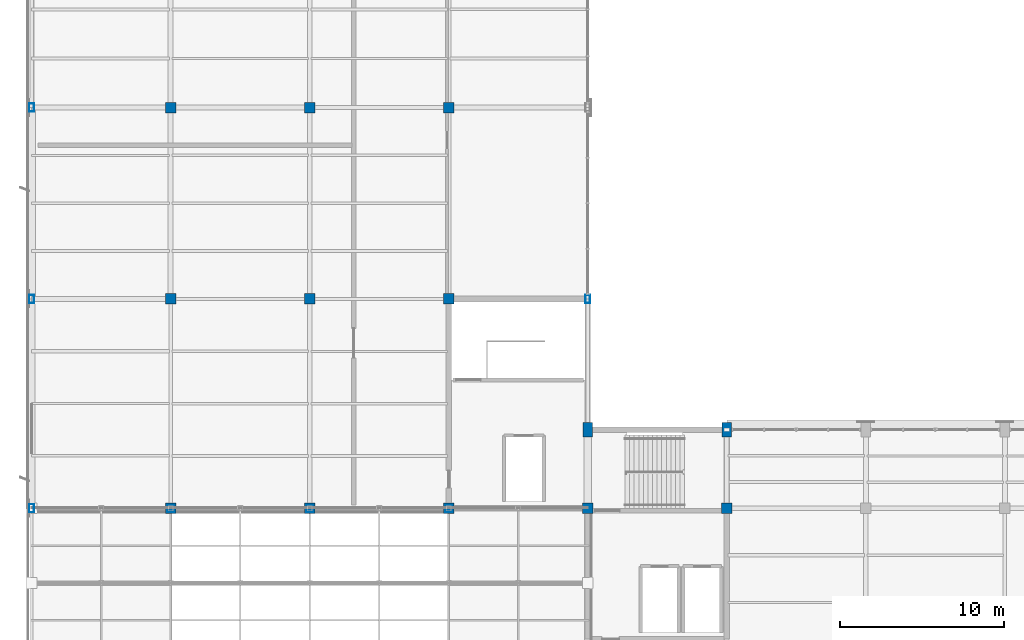
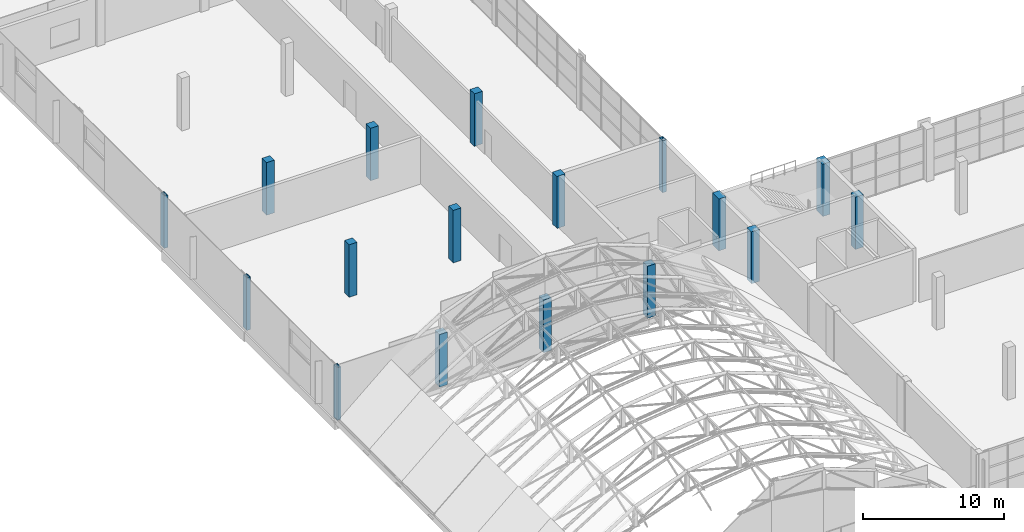
# One storey, part 2 of 86: 17 columns.
"""IFC4 building model written with IfcOpenShell, lengths in metres."""

import ifcopenshell
import ifcopenshell.guid

model = None  # the IFC model being written
_history = None  # IfcOwnerHistory: only IFC2X3 demands one
_inside = {}  # id of a spatial element -> (the spatial element, [elements in it])
_under = {}  # id of a project, library or spatial element -> (it, [spatial elements below it])
_declared = {}  # id of a project -> (the project, [libraries it declares])
_typed = {}  # id of a type object -> (the type object, [elements of that type])
_made_of = {}  # id of a material, layer set ... -> (it, [elements and type objects made of it])


def new_model(schema):
    """Start an empty IFC model of exactly this schema.

    Asked for "IFC4X3", IfcOpenShell would pick the latest addendum, in which some entities
    have other attributes; the version numbers below select the first issue.
    IFC2X3 requires an IfcOwnerHistory on every rooted entity: one is made here for all.
    """
    global model, _history
    if schema == "IFC4X3":
        model = ifcopenshell.file(schema_version=(4, 3, 0, 0))
    else:
        model = ifcopenshell.file(schema=schema)
    _inside.clear()
    _under.clear()
    _declared.clear()
    _typed.clear()
    _made_of.clear()
    _history = None
    if model.schema == "IFC2X3":
        org = make("IfcOrganization", Name="unknown")
        user = make(
            "IfcPersonAndOrganization",
            ThePerson=make("IfcPerson", FamilyName="unknown"),
            TheOrganization=org,
        )
        app = make(
            "IfcApplication",
            ApplicationDeveloper=org,
            Version="unknown",
            ApplicationFullName="unknown",
            ApplicationIdentifier="unknown",
        )
        _history = make(
            "IfcOwnerHistory",
            OwningUser=user,
            OwningApplication=app,
            ChangeAction="ADDED",
            CreationDate=0,
        )
    return model


def make(cls, **values):
    """One entity of the class cls with the attributes given. An attribute that is None is left unset."""
    return model.create_entity(
        cls, **{name: value for name, value in values.items() if value is not None}
    )


def rooted(cls, **values):
    """An entity with a GlobalId (a new one), such as an element, a storey or a relation."""
    return make(cls, GlobalId=ifcopenshell.guid.new(), OwnerHistory=_history, **values)


def si_unit(unit_type, name, prefix=None):
    """IfcSIUnit, for example si_unit("LENGTHUNIT", "METRE", prefix="MILLI")."""
    return make("IfcSIUnit", UnitType=unit_type, Prefix=prefix, Name=name)


def assignment(units):
    """IfcUnitAssignment: the units of a project."""
    return None if units is None else make("IfcUnitAssignment", Units=units)


def point(xyz):
    """IfcCartesianPoint."""
    return None if xyz is None else make("IfcCartesianPoint", Coordinates=xyz)


def direction(xyz):
    """IfcDirection."""
    return None if xyz is None else make("IfcDirection", DirectionRatios=xyz)


def frame(location, z_axis=None, x_axis=None):
    """IfcAxis2Placement3D, a coordinate frame: its origin and axes. An axis left out is left unset."""
    return make(
        "IfcAxis2Placement3D",
        Location=point(location),
        Axis=direction(z_axis),
        RefDirection=direction(x_axis),
    )


def frame_2d(location, x_axis=None):
    """IfcAxis2Placement2D, a coordinate frame in the plane: its origin and x axis."""
    return make(
        "IfcAxis2Placement2D", Location=point(location), RefDirection=direction(x_axis)
    )


def origin():
    """The frame at (0, 0, 0) with its axes left unset."""
    return frame((0.0, 0.0, 0.0))


def origin_2d():
    """The frame at (0, 0) in the plane with its x axis left unset."""
    return frame_2d((0.0, 0.0))


def place(relative_to, where):
    """IfcLocalPlacement: puts the frame where relative to a parent placement (None: the world)."""
    return make(
        "IfcLocalPlacement", PlacementRelTo=relative_to, RelativePlacement=where
    )


def context(
    kind, dimensions, precision=None, world=None, true_north=None, identifier=None
):
    """IfcGeometricRepresentationContext, for example the 3D "Model" context."""
    return make(
        "IfcGeometricRepresentationContext",
        ContextIdentifier=identifier,
        ContextType=kind,
        CoordinateSpaceDimension=dimensions,
        Precision=precision,
        WorldCoordinateSystem=world,
        TrueNorth=true_north,
    )


def subcontext(parent, identifier, kind, view, scale=None):
    """IfcGeometricRepresentationSubContext, for example "Body" below "Model"."""
    return make(
        "IfcGeometricRepresentationSubContext",
        ContextIdentifier=identifier,
        ContextType=kind,
        ParentContext=parent,
        TargetScale=scale,
        TargetView=view,
    )


def project(units=None, contexts=None):
    """IfcProject with its units and contexts."""
    return rooted(
        "IfcProject",
        Name="project",
        RepresentationContexts=contexts,
        UnitsInContext=assignment(units),
    )


def spatial(cls, under=None, at=None, **own):
    """A site, building, storey or space (cls), placed at a placement, below another one or the project."""
    s = rooted(cls, ObjectPlacement=at, **own)
    if under is not None:
        _under.setdefault(under.id(), (under, []))[1].append(s)
    return s


def profile(cls, at=None, kind="AREA", **sizes):
    """A parametric profile (cls). Its sizes go by their IFC names, for example OverallWidth=200.0."""
    return make(cls, ProfileType=kind, Position=at, **sizes)


def rectangle(**sizes):
    """IfcRectangleProfileDef."""
    return profile("IfcRectangleProfileDef", **sizes)


def hollow_rectangle(**sizes):
    """IfcRectangleHollowProfileDef."""
    return profile("IfcRectangleHollowProfileDef", **sizes)


def extrude(swept, where, along, depth):
    """IfcExtrudedAreaSolid: the profile swept, set in the frame where, extruded along a direction by depth."""
    return make(
        "IfcExtrudedAreaSolid",
        SweptArea=swept,
        Position=where,
        ExtrudedDirection=direction(along),
        Depth=depth,
    )


def shape(context_of_items, identifier, shape_type, items):
    """IfcShapeRepresentation: the items that make up one representation, for example the "Body"."""
    return make(
        "IfcShapeRepresentation",
        ContextOfItems=context_of_items,
        RepresentationIdentifier=identifier,
        RepresentationType=shape_type,
        Items=items,
    )


def material(Name=None, Category=None):
    """IfcMaterial."""
    return make("IfcMaterial", Name=Name, Category=Category)


def material_profile(
    of_material, cross_section, Name=None, Category=None, Priority=None
):
    """IfcMaterialProfile: a cross section and its material."""
    return make(
        "IfcMaterialProfile",
        Name=Name,
        Material=of_material,
        Profile=cross_section,
        Priority=Priority,
        Category=Category,
    )


def profile_set(profiles, Name=None, composite=None):
    """IfcMaterialProfileSet."""
    return make(
        "IfcMaterialProfileSet",
        Name=Name,
        MaterialProfiles=profiles,
        CompositeProfile=composite,
    )


def made_of(thing, what):
    """Note that an element or type object is made of a material, layer set ...; save() writes the relation."""
    if what is not None:
        _made_of.setdefault(what.id(), (what, []))[1].append(thing)
    return thing


def type_object(cls, material=None, **own):
    """A type object (cls), such as IfcWallType, which elements share."""
    return made_of(rooted(cls, **own), material)


def element(
    cls,
    number,
    at=None,
    inside=None,
    cuts=None,
    type_object=None,
    material=None,
    context=None,
    identifier="Body",
    shape_type=None,
    held_by="IfcProductDefinitionShape",
    body=None,
    shapes=None,
    **own,
):
    """One element of the class cls, such as IfcWall. Its Tag is "e" and its number.

    at: its placement. inside: the storey or other place that contains it. cuts: it is an
    opening in that element (IfcRelVoidsElement). A single representation is given by context,
    identifier, shape_type and body (its items); several are given by shapes. held_by: the class
    of the entity that holds the representations. save() writes the other relations.
    """
    e = rooted(cls, Tag="e%d" % number, ObjectPlacement=at, **own)
    if body is not None:
        shapes = [shape(context, identifier, shape_type, body)]
    if shapes is not None:
        e.Representation = make(held_by, Representations=shapes)
    if inside is not None:
        _inside.setdefault(inside.id(), (inside, []))[1].append(e)
    if cuts is not None:
        rooted(
            "IfcRelVoidsElement", RelatingBuildingElement=cuts, RelatedOpeningElement=e
        )
    if type_object is not None:
        _typed.setdefault(type_object.id(), (type_object, []))[1].append(e)
    return made_of(e, material)


def aggregate(whole, parts):
    """IfcRelAggregates: a whole, such as a stair, and the parts it consists of."""
    return rooted("IfcRelAggregates", RelatingObject=whole, RelatedObjects=parts)


def save(model, path):
    """Write the relations noted so far, then the file.

    IfcRelAggregates (storeys below a building ...), IfcRelContainedInSpatialStructure (elements
    in a storey), IfcRelDefinesByType, IfcRelAssociatesMaterial and IfcRelDeclares: one each for
    every whole, place, type object, material and project.
    """
    for whole, parts in _under.values():
        aggregate(whole, parts)
    for where, things in _inside.values():
        rooted(
            "IfcRelContainedInSpatialStructure",
            RelatedElements=things,
            RelatingStructure=where,
        )
    for kind, things in _typed.values():
        rooted("IfcRelDefinesByType", RelatedObjects=things, RelatingType=kind)
    for what, things in _made_of.values():
        rooted("IfcRelAssociatesMaterial", RelatedObjects=things, RelatingMaterial=what)
    for by, libraries in _declared.values():
        rooted("IfcRelDeclares", RelatingContext=by, RelatedDefinitions=libraries)
    model.write(path)


model = new_model("IFC4")

# Units and contexts
model_context = context("Model", 3, precision=1e-05, world=origin(), true_north=direction((0.0, 1.0)))
body_context = subcontext(model_context, "Body", "Model", "MODEL_VIEW")
ifc_project = project(units=[si_unit("LENGTHUNIT", "METRE"), si_unit("AREAUNIT", "SQUARE_METRE"), si_unit("VOLUMEUNIT", "CUBIC_METRE"), si_unit("PLANEANGLEUNIT", "RADIAN"), si_unit("MASSUNIT", "GRAM", prefix="KILO")], contexts=[model_context])

# Site, building, storey
site_placement = place(None, origin())
site = spatial("IfcSite", under=ifc_project, at=site_placement, CompositionType="ELEMENT")
building_placement = place(site_placement, origin())
building = spatial("IfcBuilding", under=site, at=building_placement, Name="Solvikara Media Centre", CompositionType="ELEMENT")
storey_placement = place(building_placement, frame((0.0, 0.0, 15.0)))
storey = spatial("IfcBuildingStorey", under=building, at=storey_placement, Name="L03", CompositionType="ELEMENT", Elevation=15.0)

# Columns
ifc_material_1 = material(Name="Concrete fc' 45 MPa (C45/55)", Category="concrete")
ifc_material_profile_1 = material_profile(ifc_material_1, rectangle(XDim=0.64990234375, YDim=0.64990234375, at=origin_2d()), Name="RC 650x650")
ifc_profile_set_1 = profile_set([ifc_material_profile_1], Name="Concrete fc' 45 MPa (C45/55)")
column_type_1 = type_object("IfcColumnType", Name="CL-02", PredefinedType="COLUMN", material=ifc_profile_set_1)
for number, where, z_axis, x_axis, name in (
    (1, (8.5, 32.0, 0.0), (0.0, 0.0, 1.0), (1.0, 0.0, 0.0), "C-L03-0085-0320"),
    (2, (8.5, 44.800048828125, 0.0), (0.0, 0.0, 1.0), (1.0, 0.0, 0.0), "C-L03-0085-0448"),
    (3, (8.5, 56.5, 0.0), (0.0, 0.0, 1.0), (1.0, 0.0, 0.0), "C-L03-0085-0565"),
    (4, (17.0, 32.0, 0.0), (0.0, 0.0, 1.0), (1.0, 0.0, 0.0), "C-L03-0170-0320"),
    (5, (17.0, 44.800048828125, 0.0), (0.0, 0.0, 1.0), (1.0, 0.0, 0.0), "C-L03-0170-0448"),
    (6, (17.0, 56.5, 0.0), (0.0, 0.0, 1.0), (1.0, 0.0, 0.0), "C-L03-0170-0565"),
):
    element("IfcColumn", number, at=place(storey_placement, frame(where, z_axis=z_axis, x_axis=x_axis)), inside=storey, type_object=column_type_1, Name=name, PredefinedType="COLUMN", context=body_context, shape_type="SweptSolid", body=[
        extrude(rectangle(XDim=0.64990234375, YDim=0.64990234375, at=origin_2d()), origin(), (0.0, 0.0, 1.0), 4.5400390625),
    ])
for number, where, z_axis, x_axis, name in (
    (7, (25.5, 32.0, 0.0), (0.0, 0.0, 1.0), (1.0, 0.0, 0.0), "C-L03-0255-0320"),
    (8, (25.5, 44.800048828125, 0.0), (0.0, 0.0, 1.0), (1.0, 0.0, 0.0), "C-L03-0255-0448"),
):
    element("IfcColumn", number, at=place(storey_placement, frame(where, z_axis=z_axis, x_axis=x_axis)), inside=storey, type_object=column_type_1, Name=name, PredefinedType="COLUMN", context=body_context, shape_type="SweptSolid", body=[
        extrude(rectangle(XDim=0.64990234375, YDim=0.64990234375, at=origin_2d()), origin(), (0.0, 0.0, 1.0), 4.489990234375),
    ])
column_1_placement = place(storey_placement, frame((25.5, 56.5, 0.0), z_axis=(0.0, 0.0, 1.0), x_axis=(1.0, 0.0, 0.0)))
element("IfcColumn", 9, at=column_1_placement, inside=storey, type_object=column_type_1, Name="C-L03-0255-0565", PredefinedType="COLUMN", context=body_context, shape_type="SweptSolid", body=[
    extrude(rectangle(XDim=0.64990234375, YDim=0.64990234375, at=origin_2d()), origin(), (0.0, 0.0, 1.0), 4.5400390625),
])
column_2_placement = place(storey_placement, frame((34.0, 32.0, 0.0), z_axis=(0.0, 0.0, 1.0), x_axis=(1.0, 0.0, 0.0)))
element("IfcColumn", 10, at=column_2_placement, inside=storey, type_object=column_type_1, Name="C-L03-0340-0320", PredefinedType="COLUMN", context=body_context, shape_type="SweptSolid", body=[
    extrude(rectangle(XDim=0.64990234375, YDim=0.64990234375, at=origin_2d()), origin(), (0.0, 0.0, 1.0), 4.489990234375),
])
column_3_placement = place(storey_placement, frame((42.5, 32.0, 0.0), z_axis=(0.0, 0.0, 1.0), x_axis=(1.0, 0.0, 0.0)))
element("IfcColumn", 11, at=column_3_placement, inside=storey, type_object=column_type_1, Name="C-L03-0425-0320", PredefinedType="COLUMN", context=body_context, shape_type="SweptSolid", body=[
    extrude(rectangle(XDim=0.64990234375, YDim=0.64990234375, at=origin_2d()), origin(), (0.0, 0.0, 1.0), 4.52001953125),
])
ifc_material_profile_2 = material_profile(ifc_material_1, rectangle(XDim=0.60009765625, YDim=0.89990234375, at=origin_2d()), Name="RC 600x900")
ifc_profile_set_2 = profile_set([ifc_material_profile_2], Name="Concrete fc' 45 MPa (C45/55)")
column_type_2 = type_object("IfcColumnType", Name="CL-10", PredefinedType="COLUMN", material=ifc_profile_set_2)
column_4_placement = place(storey_placement, frame((34.0, 36.800048828125, 0.0), z_axis=(0.0, 0.0, 1.0), x_axis=(1.0, 0.0, 0.0)))
element("IfcColumn", 12, at=column_4_placement, inside=storey, type_object=column_type_2, Name="C-L03-0340-0368", PredefinedType="COLUMN", context=body_context, shape_type="SweptSolid", body=[
    extrude(rectangle(XDim=0.60009765625, YDim=0.89990234375, at=origin_2d()), origin(), (0.0, 0.0, 1.0), 4.489990234375),
])
column_5_placement = place(storey_placement, frame((42.5, 36.800048828125, 0.0), z_axis=(0.0, 0.0, 1.0), x_axis=(1.0, 0.0, 0.0)))
element("IfcColumn", 13, at=column_5_placement, inside=storey, type_object=column_type_2, Name="C-L03-0425-0368", PredefinedType="COLUMN", context=body_context, shape_type="SweptSolid", body=[
    extrude(rectangle(XDim=0.60009765625, YDim=0.89990234375, at=origin_2d()), origin(), (0.0, 0.0, 1.0), 4.52001953125),
])
ifc_material_2 = material(Name="Steel S355JR", Category="steel")
ifc_material_profile_3 = material_profile(ifc_material_2, hollow_rectangle(XDim=0.300048828125, YDim=0.5, WallThickness=0.01611328125, at=origin_2d()), Name="RHS 500x300x16")
ifc_profile_set_3 = profile_set([ifc_material_profile_3], Name="Steel S355JR")
column_type_3 = type_object("IfcColumnType", Name="CL-28", PredefinedType="COLUMN", material=ifc_profile_set_3)
for number, where, z_axis, x_axis, name in (
    (14, (0.0, 32.0, 0.0), (0.0, 0.0, 1.0), (1.0, 0.0, 0.0), "C-L03-0000-0320"),
    (15, (0.0, 44.800048828125, 0.0), (0.0, 0.0, 1.0), (1.0, 0.0, 0.0), "C-L03-0000-0448"),
    (16, (0.0, 56.5, 0.0), (0.0, 0.0, 1.0), (1.0, 0.0, 0.0), "C-L03-0000-0565"),
):
    element("IfcColumn", number, at=place(storey_placement, frame(where, z_axis=z_axis, x_axis=x_axis)), inside=storey, type_object=column_type_3, Name=name, PredefinedType="COLUMN", context=body_context, shape_type="SweptSolid", body=[
        extrude(hollow_rectangle(XDim=0.300048828125, YDim=0.5, WallThickness=0.01611328125, at=origin_2d()), origin(), (0.0, 0.0, 1.0), 4.5400390625),
    ])
column_6_placement = place(storey_placement, frame((34.0, 44.800048828125, 0.0), z_axis=(0.0, 0.0, 1.0), x_axis=(1.0, 0.0, 0.0)))
element("IfcColumn", 17, at=column_6_placement, inside=storey, type_object=column_type_3, Name="C-L03-0340-0448", PredefinedType="COLUMN", context=body_context, shape_type="SweptSolid", body=[
    extrude(hollow_rectangle(XDim=0.300048828125, YDim=0.5, WallThickness=0.01611328125, at=origin_2d()), origin(), (0.0, 0.0, 1.0), 4.489990234375),
])

save(model, "model.ifc")
